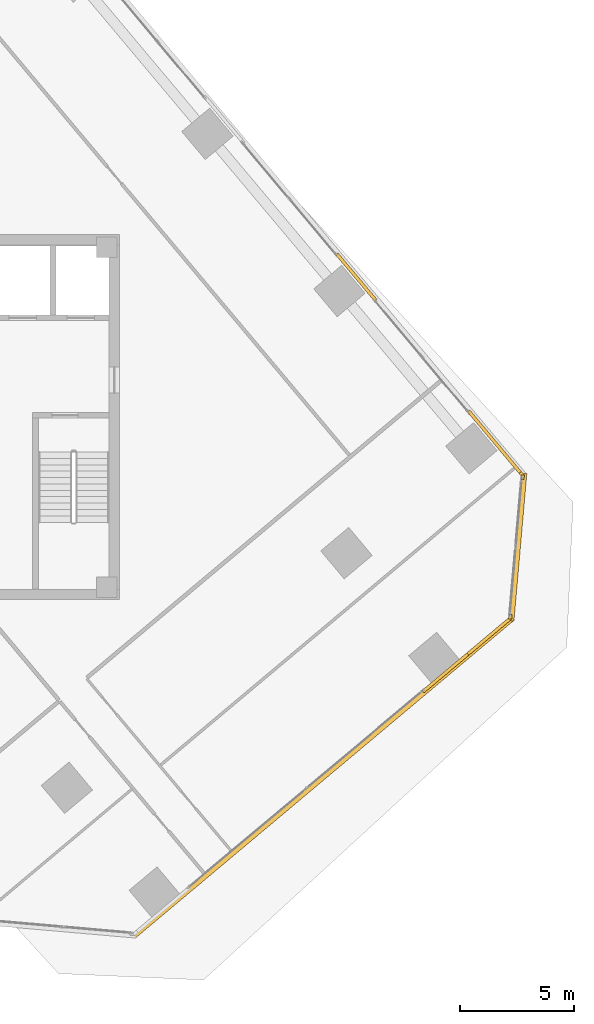
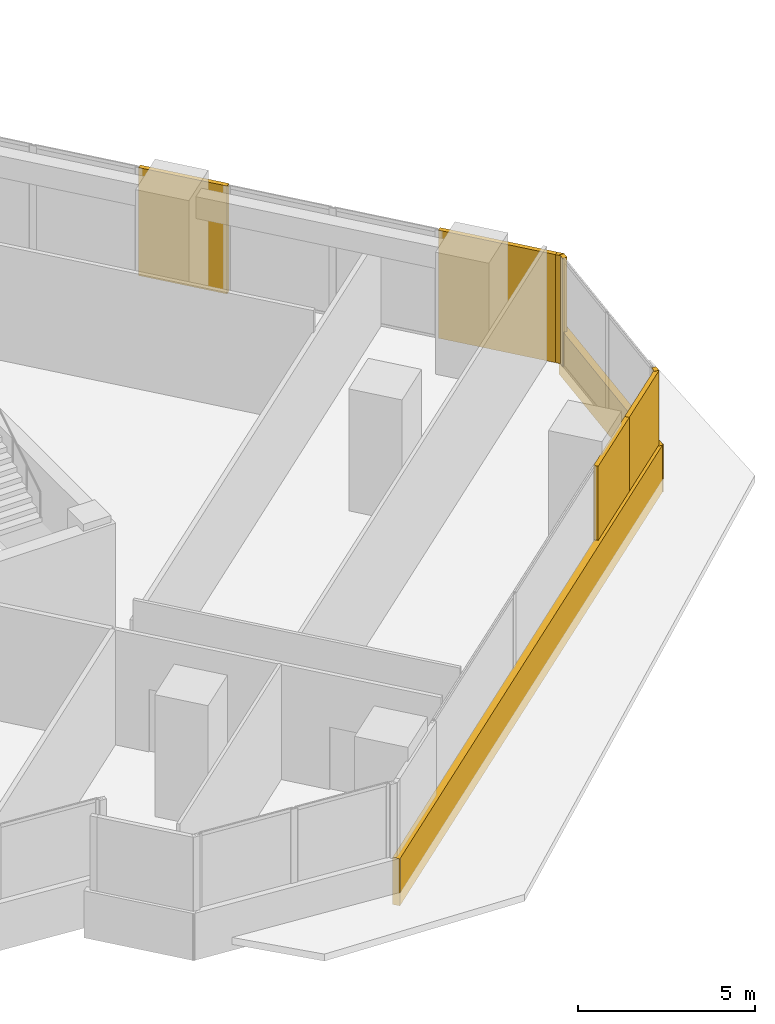
# One storey, part 16 of 17: 9 coverings.
"""IFC4 building model written with IfcOpenShell, lengths in metres."""

from ifc_helpers import new_model, si_unit, direction, frame, origin, origin_2d, place, context, subcontext, project, spatial, rectangle, extrude, source, transform, mapped, material, layer, layer_set, type_object, element, save


model = new_model("IFC4")

# Units and contexts
model_context = context("Model", 3, precision=1e-05, world=origin(), true_north=direction((0.0, 1.0)))
body_context = subcontext(model_context, "Body", "Model", "MODEL_VIEW")
ifc_project = project(units=[si_unit("LENGTHUNIT", "METRE"), si_unit("AREAUNIT", "SQUARE_METRE"), si_unit("VOLUMEUNIT", "CUBIC_METRE"), si_unit("PLANEANGLEUNIT", "RADIAN"), si_unit("MASSUNIT", "GRAM", prefix="KILO")], contexts=[model_context])

# Site, building, storey
site_placement = place(None, origin())
site = spatial("IfcSite", under=ifc_project, at=site_placement, CompositionType="ELEMENT")
building_placement = place(site_placement, origin())
building = spatial("IfcBuilding", under=site, at=building_placement, Name="Torre Montelarca", CompositionType="ELEMENT")
storey_placement = place(building_placement, frame((0.0, 0.0, 266.800048828125)))
storey = spatial("IfcBuildingStorey", under=building, at=storey_placement, Name="L60", CompositionType="ELEMENT", Elevation=266.800048828125)

# Coverings
ifc_material = material(Name="Bush-hammered warm white precast concrete C45/55", Category="concrete")
ifc_layer = layer(ifc_material, 0.139892578125, Name="Bush-hammered warm white precast concrete C45/55", Category="concrete")
ifc_layer_set = layer_set([ifc_layer], Name="Bush-hammered warm white precast concrete C45/55")
covering_type = type_object("IfcCoveringType", Name="COV-TRAY-CLAD", PredefinedType="CLADDING", material=ifc_layer_set)
shared_shape_1 = source(origin(), body_context, "Body", "SweptSolid", [
    extrude(rectangle(XDim=6.48388671875, YDim=0.219970703125, at=origin_2d()), origin(), (0.0, 0.0, 1.0), 1.6201171875),
])
covering_1_placement = place(storey_placement, frame((44.4658203125, 26.2998046875, -0.4501953125), z_axis=(0.0, 0.0, 1.0), x_axis=(0.087147049306, 0.996195458631, 0.0)))
element("IfcCovering", 1, at=covering_1_placement, inside=storey, type_object=covering_type, Name="L60 Architectural White Spandrel Tray Band TRYBOT-07", PredefinedType="CLADDING", context=body_context, shape_type="MappedRepresentation", body=[
    mapped(shared_shape_1, transform((0.0, 0.0, 0.0), scale=1.0)),
])
shared_shape_2 = source(origin(), body_context, "Body", "SweptSolid", [
    extrude(rectangle(XDim=0.199951171875, YDim=0.139892578125, at=origin_2d()), origin(), (0.0, 0.0, 1.0), 3.719970703125),
])
for number, where, z_axis, x_axis, name in (
    (2, (44.138916015625, 23.25048828125, 0.0), (0.0, 0.0, 1.0), (0.08716095881, 0.996194241732, 0.0), "L60 Architectural Column Pier Cladding E07-1"),
    (3, (44.67333984375, 29.359375, 0.0), (0.0, 0.0, 1.0), (0.08716095881, 0.996194241732, 0.0), "L60 Architectural Column Pier Cladding E07-2"),
    (4, (44.629638671875, 29.497802734375, 0.0), (0.0, 0.0, 1.0), (-0.642787609687, 0.766044443119, 0.0), "L60 Architectural Column Pier Cladding E08-1"),
):
    element("IfcCovering", number, at=place(storey_placement, frame(where, z_axis=z_axis, x_axis=x_axis)), inside=storey, type_object=covering_type, Name=name, PredefinedType="CLADDING", context=body_context, shape_type="MappedRepresentation", body=[
        mapped(shared_shape_2, transform((0.0, 0.0, 0.0), scale=1.0)),
    ])
shared_shape_3 = source(origin(), body_context, "Body", "SweptSolid", [
    extrude(rectangle(XDim=21.719970703125, YDim=0.219970703125, at=origin_2d()), origin(), (0.0, 0.0, 1.0), 1.6201171875),
])
covering_2_placement = place(storey_placement, frame((35.92578125, 16.208251953125, -0.4501953125), z_axis=(0.0, 0.0, 1.0), x_axis=(0.766045564994, 0.642786272686, 0.0)))
element("IfcCovering", 5, at=covering_2_placement, inside=storey, type_object=covering_type, Name="L60 Architectural White Spandrel Tray Band TRYBOT-06", PredefinedType="CLADDING", context=body_context, shape_type="MappedRepresentation", body=[
    mapped(shared_shape_3, transform((0.0, 0.0, 0.0), scale=1.0)),
])
shared_shape_4 = source(origin(), body_context, "Body", "SweptSolid", [
    extrude(rectangle(XDim=2.659912109375, YDim=0.139892578125, at=origin_2d()), origin(), (0.0, 0.0, 1.0), 3.719970703125),
])
for number, where, z_axis, x_axis, name in (
    (6, (41.326171875, 20.81787109375, 0.0), (0.0, 0.0, 1.0), (0.766044443119, 0.642787609687, 0.0), "L60 Architectural Column Pier Cladding E06-3"),
    (7, (37.376220703125, 38.14208984375, 0.0), (0.0, 0.0, 1.0), (-0.642787609687, 0.766044443119, 0.0), "L60 Architectural Column Pier Cladding E08-3"),
):
    element("IfcCovering", number, at=place(storey_placement, frame(where, z_axis=z_axis, x_axis=x_axis)), inside=storey, type_object=covering_type, Name=name, PredefinedType="CLADDING", context=body_context, shape_type="MappedRepresentation", body=[
        mapped(shared_shape_4, transform((0.0, 0.0, 0.0), scale=1.0)),
    ])
shared_shape_5 = source(origin(), body_context, "Body", "SweptSolid", [
    extrude(rectangle(XDim=2.4541015625, YDim=0.139892578125, at=origin_2d()), origin(), (0.0, 0.0, 1.0), 3.719970703125),
])
covering_3_placement = place(storey_placement, frame((43.20849609375, 22.397216796875, 0.0), z_axis=(0.0, 0.0, 1.0), x_axis=(0.766044443119, 0.642787609687, 0.0)))
element("IfcCovering", 8, at=covering_3_placement, inside=storey, type_object=covering_type, Name="L60 Architectural Column Pier Cladding E06-4", PredefinedType="CLADDING", context=body_context, shape_type="MappedRepresentation", body=[
    mapped(shared_shape_5, transform((0.0, 0.0, 0.0), scale=1.0)),
])
shared_shape_6 = source(origin(), body_context, "Body", "SweptSolid", [
    extrude(rectangle(XDim=3.614013671875, YDim=0.139892578125, at=origin_2d()), origin(), (0.0, 0.0, 1.0), 3.719970703125),
])
covering_4_placement = place(storey_placement, frame((43.468017578125, 30.882080078125, 0.0), z_axis=(0.0, 0.0, 1.0), x_axis=(-0.642787609687, 0.766044443119, 0.0)))
element("IfcCovering", 9, at=covering_4_placement, inside=storey, type_object=covering_type, Name="L60 Architectural Column Pier Cladding E08-2", PredefinedType="CLADDING", context=body_context, shape_type="MappedRepresentation", body=[
    mapped(shared_shape_6, transform((0.0, 0.0, 0.0), scale=1.0)),
])

save(model, "model.ifc")
